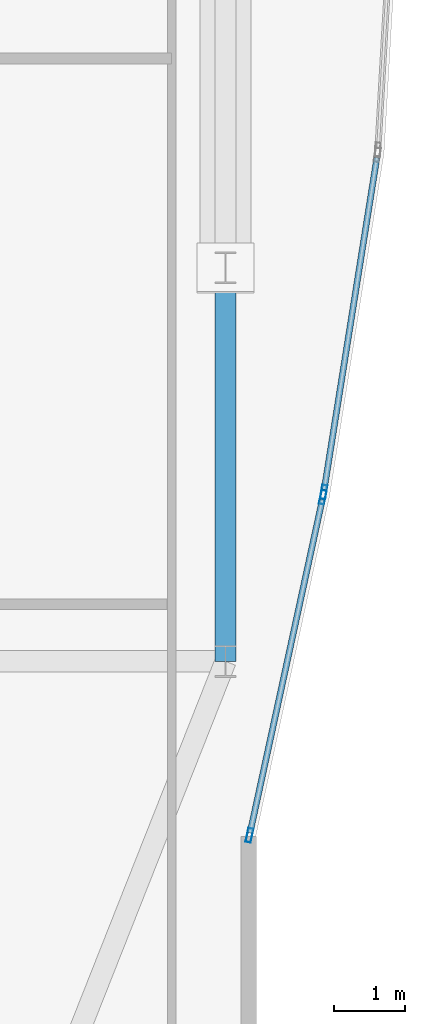
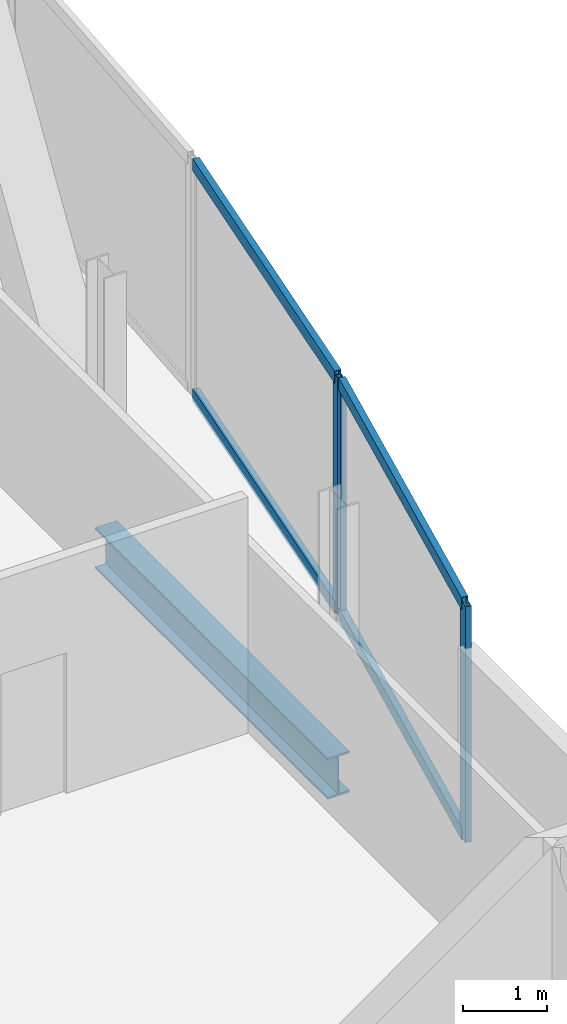
# One storey, part 17 of 33: 7 members, 1 beam, 2 elements without a shape of their own.
"""IFC4 building model written with IfcOpenShell, lengths in metres."""

from ifc_helpers import new_model, si_unit, direction, frame, origin, origin_2d, place, context, subcontext, project, spatial, hollow_rectangle, i_section, extrude, material, material_profile, profile_set, type_object, element, aggregate, save


model = new_model("IFC4")

# Units and contexts
model_context = context("Model", 3, precision=1e-05, world=origin(), true_north=direction((0.0, 1.0)))
body_context = subcontext(model_context, "Body", "Model", "MODEL_VIEW")
ifc_project = project(units=[si_unit("LENGTHUNIT", "METRE"), si_unit("AREAUNIT", "SQUARE_METRE"), si_unit("VOLUMEUNIT", "CUBIC_METRE"), si_unit("PLANEANGLEUNIT", "RADIAN"), si_unit("MASSUNIT", "GRAM", prefix="KILO")], contexts=[model_context])

# Site, building, storey
site_placement = place(None, origin())
site = spatial("IfcSite", under=ifc_project, at=site_placement, CompositionType="ELEMENT")
building_placement = place(site_placement, origin())
building = spatial("IfcBuilding", under=site, at=building_placement, Name="Khoronbel Lancet Exchange", CompositionType="ELEMENT")
storey_placement = place(building_placement, frame((0.0, 0.0, 210.199951171875)))
storey = spatial("IfcBuildingStorey", under=building, at=storey_placement, Name="L53", CompositionType="ELEMENT", Elevation=210.199951171875)

# Beam
ifc_material_1 = material(Name="Steel S355", Category="steel")
ifc_material_profile_1 = material_profile(ifc_material_1, i_section(OverallWidth=0.300048828125, OverallDepth=0.60009765625, WebThickness=0.015380859375, FlangeThickness=0.030029296875, at=origin_2d()), Name="HEB 600")
ifc_profile_set_1 = profile_set([ifc_material_profile_1], Name="Steel S355")
beam_type = type_object("IfcBeamType", Name="BM-BSP2", PredefinedType="SPANDREL", material=ifc_profile_set_1)
beam_placement = place(storey_placement, frame((65.6298828125, 19.199951171875, -0.4599609375), z_axis=(0.0, 1.0, 0.0), x_axis=(-1.0, 0.0, 0.0)))
element("IfcBeam", 1, at=beam_placement, inside=storey, type_object=beam_type, Name="Level L53 perimeter spandrel beam SP11", PredefinedType="SPANDREL", context=body_context, shape_type="SweptSolid", body=[
    extrude(i_section(OverallWidth=0.300048828125, OverallDepth=0.60009765625, WebThickness=0.015380859375, FlangeThickness=0.030029296875, at=origin_2d()), origin(), (0.0, 0.0, 1.0), 5.550048828125),
])

# Curtain wall, member
ifc_material_2 = material(Name="Low-E Solar Control Insulating Glass", Category="glass")
curtain_wall_type = type_object("IfcCurtainWallType", Name="CW-4", PredefinedType="NOTDEFINED", material=ifc_material_2)
curtain_wall_1_placement = place(storey_placement, origin())
curtain_wall_1 = element("IfcCurtainWall", 2, at=curtain_wall_1_placement, inside=storey, type_object=curtain_wall_type, Name="Unitised curtain wall CW-L53-E21", PredefinedType="NOTDEFINED")
ifc_material_3 = material(Name="Bronze-Anodised Aluminium 6063-T6", Category="aluminium")
ifc_material_profile_2 = material_profile(ifc_material_3, hollow_rectangle(XDim=0.074951171875, YDim=0.199951171875, WallThickness=0.0048828125, at=origin_2d()), Name="ALU MULLION 75x200")
ifc_profile_set_2 = profile_set([ifc_material_profile_2], Name="Bronze-Anodised Aluminium 6063-T6")
member_type_1 = type_object("IfcMemberType", Name="MEM-CWM2", PredefinedType="MULLION", material=ifc_profile_set_2)
member_1_placement = place(storey_placement, frame((67.015380859375, 21.5869140625, 0.0), z_axis=(0.0, 0.0, 1.0), x_axis=(0.987632712105, -0.156785286236, 0.0)))
member_1 = element("IfcMember", 3, at=member_1_placement, type_object=member_type_1, Name="CW4 mullion 2", PredefinedType="MULLION", context=body_context, shape_type="SweptSolid", body=[
    extrude(hollow_rectangle(XDim=0.074951171875, YDim=0.199951171875, WallThickness=0.0048828125, at=origin_2d()), origin(), (0.0, 0.0, 1.0), 3.43994140625),
])

# Curtain wall, members
curtain_wall_2_placement = place(storey_placement, origin())
curtain_wall_2 = element("IfcCurtainWall", 4, at=curtain_wall_2_placement, inside=storey, type_object=curtain_wall_type, Name="Unitised curtain wall CW-L53-E22", PredefinedType="NOTDEFINED")
member_2_placement = place(storey_placement, frame((67.001708984375, 21.51318359375, 0.0), z_axis=(0.0, 0.0, 1.0), x_axis=(0.977286842552, -0.211920804489, 0.0)))
member_2 = element("IfcMember", 5, at=member_2_placement, type_object=member_type_1, Name="CW4 mullion 1", PredefinedType="MULLION", context=body_context, shape_type="SweptSolid", body=[
    extrude(hollow_rectangle(XDim=0.074951171875, YDim=0.199951171875, WallThickness=0.0048828125, at=origin_2d()), origin(), (0.0, 0.0, 1.0), 3.43994140625),
])
member_3_placement = place(storey_placement, frame((65.968017578125, 16.746337890625, 0.0), z_axis=(0.0, 0.0, 1.0), x_axis=(0.977286842552, -0.211920804489, 0.0)))
member_3 = element("IfcMember", 6, at=member_3_placement, type_object=member_type_1, Name="CW4 mullion 2", PredefinedType="MULLION", context=body_context, shape_type="SweptSolid", body=[
    extrude(hollow_rectangle(XDim=0.074951171875, YDim=0.199951171875, WallThickness=0.0048828125, at=origin_2d()), origin(), (0.0, 0.0, 1.0), 3.43994140625),
])

# Member
ifc_material_profile_3 = material_profile(ifc_material_3, hollow_rectangle(XDim=0.0849609375, YDim=0.179931640625, WallThickness=0.0048828125, at=origin_2d()), Name="ALU TRANSOM 85x180")
ifc_profile_set_3 = profile_set([ifc_material_profile_3], Name="Bronze-Anodised Aluminium 6063-T6")
member_type_2 = type_object("IfcMemberType", Name="MEM-CWT1", PredefinedType="USERDEFINED", material=ifc_profile_set_3)
member_4_placement = place(storey_placement, frame((67.76416015625, 26.30224609375, 0.04248046875), z_axis=(-0.156838565939, -0.987624252555, 0.0), x_axis=(0.987624252555, -0.156838565939, 0.0)))
member_4 = element("IfcMember", 7, at=member_4_placement, type_object=member_type_2, Name="CW4 transom 1.1", ObjectType="TRANSOM", PredefinedType="USERDEFINED", context=body_context, shape_type="SweptSolid", body=[
    extrude(hollow_rectangle(XDim=0.0849609375, YDim=0.179931640625, WallThickness=0.0048828125, at=origin_2d()), origin(), (0.0, 0.0, 1.0), 4.73681640625),
])

member_5_placement = place(storey_placement, frame((67.76416015625, 26.30224609375, 3.3974609375), z_axis=(-0.156838565939, -0.987624252555, 0.0), x_axis=(0.987624252555, -0.156838565939, 0.0)))
member_5 = element("IfcMember", 8, at=member_5_placement, type_object=member_type_2, Name="CW4 transom 1.2", ObjectType="TRANSOM", PredefinedType="USERDEFINED", context=body_context, shape_type="SweptSolid", body=[
    extrude(hollow_rectangle(XDim=0.0849609375, YDim=0.179931640625, WallThickness=0.0048828125, at=origin_2d()), origin(), (0.0, 0.0, 1.0), 4.73681640625),
])

aggregate(curtain_wall_1, [member_1, member_4, member_5])

member_6_placement = place(storey_placement, frame((66.99365234375, 21.4765625, 0.04248046875), z_axis=(-0.21192733139, -0.977285427196, 0.0), x_axis=(0.977285427196, -0.21192733139, 0.0)))
member_6 = element("IfcMember", 9, at=member_6_placement, type_object=member_type_2, Name="CW4 transom 1.1", ObjectType="TRANSOM", PredefinedType="USERDEFINED", context=body_context, shape_type="SweptSolid", body=[
    extrude(hollow_rectangle(XDim=0.0849609375, YDim=0.179931640625, WallThickness=0.0048828125, at=origin_2d()), origin(), (0.0, 0.0, 1.0), 4.802734375),
])

member_7_placement = place(storey_placement, frame((66.99365234375, 21.4765625, 3.3974609375), z_axis=(-0.21192733139, -0.977285427196, 0.0), x_axis=(0.977285427196, -0.21192733139, 0.0)))
member_7 = element("IfcMember", 10, at=member_7_placement, type_object=member_type_2, Name="CW4 transom 1.2", ObjectType="TRANSOM", PredefinedType="USERDEFINED", context=body_context, shape_type="SweptSolid", body=[
    extrude(hollow_rectangle(XDim=0.0849609375, YDim=0.179931640625, WallThickness=0.0048828125, at=origin_2d()), origin(), (0.0, 0.0, 1.0), 4.802734375),
])

aggregate(curtain_wall_2, [member_2, member_3, member_6, member_7])

save(model, "model.ifc")
